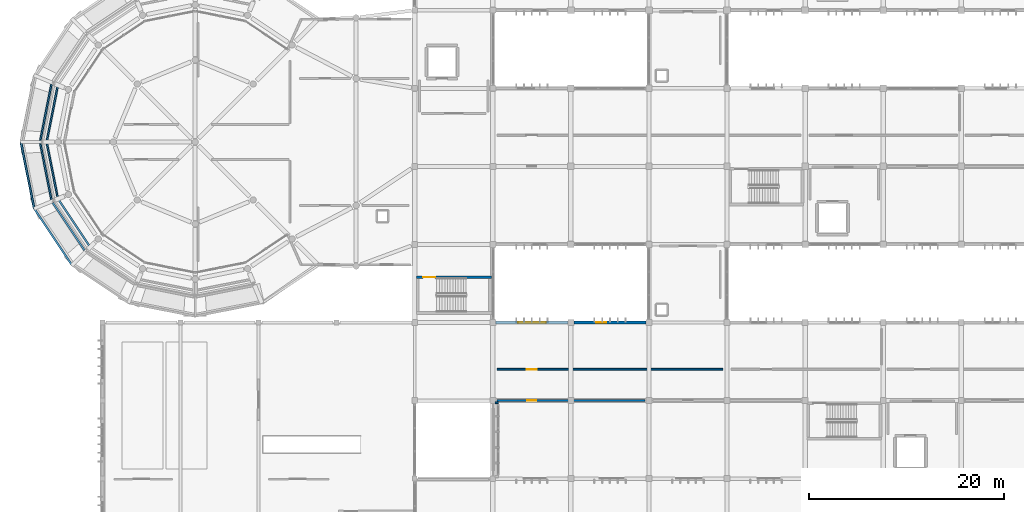
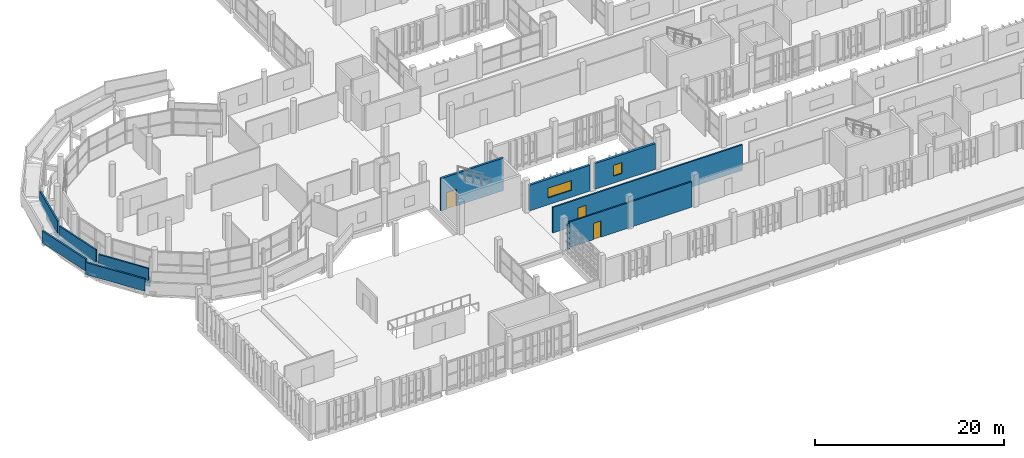
# One storey, part 109 of 137: 14 walls, 3 doors, 2 windows, 5 openings.
"""IFC4 building model written with IfcOpenShell, lengths in metres."""

from ifc_helpers import new_model, si_unit, direction, frame, frame_2d, origin, place, context, subcontext, project, spatial, rectangle, extrude, material, layer, layer_set, type_object, element, fill, save


model = new_model("IFC4")

# Units and contexts
model_context = context("Model", 3, precision=1e-05, world=origin(), true_north=direction((0.0, 1.0)))
body_context = subcontext(model_context, "Body", "Model", "MODEL_VIEW")
ifc_project = project(units=[si_unit("LENGTHUNIT", "METRE"), si_unit("AREAUNIT", "SQUARE_METRE"), si_unit("VOLUMEUNIT", "CUBIC_METRE"), si_unit("PLANEANGLEUNIT", "RADIAN"), si_unit("MASSUNIT", "GRAM", prefix="KILO")], contexts=[model_context])

# Site, building, storey
site_placement = place(None, origin())
site = spatial("IfcSite", under=ifc_project, at=site_placement, CompositionType="ELEMENT")
building_placement = place(site_placement, origin())
building = spatial("IfcBuilding", under=site, at=building_placement, Name="Jelvoka-Kovrelna Polytechnic", CompositionType="ELEMENT")
storey_placement = place(building_placement, frame((0.0, 0.0, 9.60009765625)))
storey = spatial("IfcBuildingStorey", under=building, at=storey_placement, Name="L03", CompositionType="ELEMENT", Elevation=9.60009765625)

# Wall, opening, door
ifc_material_1 = material(Name="Concrete C40/50", Category="concrete")
ifc_layer_1 = layer(ifc_material_1, 0.25)
ifc_layer_set_1 = layer_set([ifc_layer_1], Name="Concrete C40/50")
wall_type_1 = type_object("IfcWallType", Name="Wall_Core_250", PredefinedType="SOLIDWALL", material=ifc_layer_set_1)
wall_1_placement = place(storey_placement, frame((48.199951171875, 28.639892578125, 0.0), z_axis=(0.0, 0.0, 1.0), x_axis=(1.0, 0.0, 0.0)))
wall_1 = element("IfcWall", 1, at=wall_1_placement, inside=storey, type_object=wall_type_1, Name="L03 interior wall 0027", PredefinedType="SOLIDWALL", context=body_context, shape_type="SweptSolid", body=[
    extrude(rectangle(XDim=7.650146484375, YDim=0.25, at=frame_2d((3.8251953125, 0.0))), origin(), (0.0, 0.0, 1.0), 4.199951171875),
])
opening_1_placement = place(wall_1_placement, frame((0.64990234375, 0.0, 0.0)))
opening_1 = element("IfcOpeningElement", 2, at=opening_1_placement, cuts=wall_1, Name="Opening SD-L03-007", PredefinedType="OPENING", context=body_context, shape_type="SweptSolid", body=[
    extrude(rectangle(XDim=1.25, YDim=2.14990234375, at=frame_2d((0.625, 1.074951171875))), frame((0.0, 0.135009765625, 0.0), z_axis=(0.0, -1.0, 0.0), x_axis=(1.0, 0.0, 0.0)), (0.0, 0.0, 1.0), 0.27001953125),
])
ifc_material_2 = material(Name="Powder-coated steel fire door", Category="steel")
door_type_1 = type_object("IfcDoorType", Name="Door_Fire_FD02", OperationType="NOTDEFINED", PredefinedType="DOOR", material=ifc_material_2)
door_1_placement = place(opening_1_placement, origin())
door_1 = element("IfcDoor", 3, at=door_1_placement, inside=storey, type_object=door_type_1, Name="L03 interior door SD-L03-007", OperationType="SINGLE_SWING_LEFT", OverallHeight=2.14990234375, OverallWidth=1.25, PredefinedType="DOOR", context=body_context, shape_type="SweptSolid", body=[
    extrude(rectangle(XDim=1.25, YDim=2.14990234375, at=frame_2d((0.625, 1.074951171875))), frame((0.0, 0.02490234375, 0.0), z_axis=(0.0, -1.0, 0.0), x_axis=(1.0, 0.0, 0.0)), (0.0, 0.0, 1.0), 0.050048828125),
])
fill(opening_1, door_1)

ifc_material_3 = material(Name="Autoclaved aerated concrete blockwork", Category="masonry")
ifc_layer_2 = layer(ifc_material_3, 0.179931640625)
ifc_layer_set_2 = layer_set([ifc_layer_2], Name="Autoclaved aerated concrete blockwork")
wall_type_2 = type_object("IfcWallType", Name="Wall_Corridor_180", PredefinedType="PARTITIONING", material=ifc_layer_set_2)
wall_2_placement = place(storey_placement, frame((56.429931640625, 16.0, 0.0), z_axis=(0.0, 0.0, 1.0), x_axis=(1.0, 0.0, 0.0)))
wall_2 = element("IfcWall", 4, at=wall_2_placement, inside=storey, type_object=wall_type_2, Name="L03 interior wall 1035", PredefinedType="PARTITIONING", context=body_context, shape_type="SweptSolid", body=[
    extrude(rectangle(XDim=15.14013671875, YDim=0.179931640625, at=frame_2d((7.570068359375, 0.0))), origin(), (0.0, 0.0, 1.0), 3.27490234375),
])
opening_2_placement = place(wall_2_placement, frame((3.1201171875, 0.0, 0.0)))
opening_2 = element("IfcOpeningElement", 5, at=opening_2_placement, cuts=wall_2, Name="Opening D-L03-280", PredefinedType="OPENING", context=body_context, shape_type="SweptSolid", body=[
    extrude(rectangle(XDim=0.89990234375, YDim=2.10009765625, at=frame_2d((0.449951171875, 1.050048828125))), frame((0.0, 0.099853515625, 0.0), z_axis=(0.0, -1.0, 0.0), x_axis=(1.0, 0.0, 0.0)), (0.0, 0.0, 1.0), 0.199951171875),
])
ifc_material_4 = material(Name="Hardwood solid-core door", Category="wood")
door_type_2 = type_object("IfcDoorType", Name="Door_Int_D01", OperationType="NOTDEFINED", PredefinedType="DOOR", material=ifc_material_4)
door_2_placement = place(opening_2_placement, origin())
door_2 = element("IfcDoor", 6, at=door_2_placement, inside=storey, type_object=door_type_2, Name="L03 interior door D-L03-280", OperationType="SINGLE_SWING_LEFT", OverallHeight=2.10009765625, OverallWidth=0.89990234375, PredefinedType="DOOR", context=body_context, shape_type="SweptSolid", body=[
    extrude(rectangle(XDim=0.89990234375, YDim=2.10009765625, at=frame_2d((0.449951171875, 1.050048828125))), frame((0.0, 0.02490234375, 0.0), z_axis=(0.0, -1.0, 0.0), x_axis=(1.0, 0.0, 0.0)), (0.0, 0.0, 1.0), 0.050048828125),
])
fill(opening_2, door_2)

wall_3_placement = place(storey_placement, frame((56.429931640625, 19.199951171875, 0.0), z_axis=(0.0, 0.0, 1.0), x_axis=(1.0, 0.0, 0.0)))
wall_3 = element("IfcWall", 7, at=wall_3_placement, inside=storey, type_object=wall_type_2, Name="L03 interior wall 1042", PredefinedType="PARTITIONING", context=body_context, shape_type="SweptSolid", body=[
    extrude(rectangle(XDim=23.14013671875, YDim=0.179931640625, at=frame_2d((11.570068359375, 0.0))), origin(), (0.0, 0.0, 1.0), 3.2998046875),
])
opening_3_placement = place(wall_3_placement, frame((3.070068359375, 0.0, 0.0)))
opening_3 = element("IfcOpeningElement", 8, at=opening_3_placement, cuts=wall_3, Name="Opening D-L03-285", PredefinedType="OPENING", context=body_context, shape_type="SweptSolid", body=[
    extrude(rectangle(XDim=1.0, YDim=2.14990234375, at=frame_2d((0.5, 1.074951171875))), frame((0.0, 0.099853515625, 0.0), z_axis=(0.0, -1.0, 0.0), x_axis=(1.0, 0.0, 0.0)), (0.0, 0.0, 1.0), 0.199951171875),
])
ifc_material_5 = material(Name="Hardwood acoustic seminar door", Category="wood")
door_type_3 = type_object("IfcDoorType", Name="Door_Int_D08", OperationType="NOTDEFINED", PredefinedType="DOOR", material=ifc_material_5)
door_3_placement = place(opening_3_placement, origin())
door_3 = element("IfcDoor", 9, at=door_3_placement, inside=storey, type_object=door_type_3, Name="L03 interior door D-L03-285", OperationType="SINGLE_SWING_RIGHT", OverallHeight=2.14990234375, OverallWidth=1.0, PredefinedType="DOOR", context=body_context, shape_type="SweptSolid", body=[
    extrude(rectangle(XDim=1.0, YDim=2.14990234375, at=frame_2d((0.5, 1.074951171875))), frame((0.0, 0.02490234375, 0.0), z_axis=(0.0, -1.0, 0.0), x_axis=(1.0, 0.0, 0.0)), (0.0, 0.0, 1.0), 0.050048828125),
])
fill(opening_3, door_3)

# Wall, opening, window
ifc_material_6 = material(Name="Precast concrete C40/50", Category="concrete")
ifc_layer_3 = layer(ifc_material_6, 0.280029296875)
ifc_layer_set_3 = layer_set([ifc_layer_3], Name="Precast concrete C40/50")
wall_type_3 = type_object("IfcWallType", Name="Wall_Ext_White_280", PredefinedType="STANDARD", material=ifc_layer_set_3)
wall_4_placement = place(storey_placement, frame((56.297119140625, 24.0, 0.0), z_axis=(0.0, 0.0, 1.0), x_axis=(1.0, 0.0, 0.0)))
wall_4 = element("IfcWall", 10, at=wall_4_placement, inside=storey, type_object=wall_type_3, Name="L03 exterior wall 0283", PredefinedType="STANDARD", context=body_context, shape_type="SweptSolid", body=[
    extrude(rectangle(XDim=7.40576171875, YDim=0.280029296875, at=frame_2d((3.702880859375, 0.0))), origin(), (0.0, 0.0, 1.0), 3.324951171875),
])
opening_4_placement = place(wall_4_placement, frame((2.282958984375, 0.0, 0.89990234375)))
opening_4 = element("IfcOpeningElement", 11, at=opening_4_placement, cuts=wall_4, Name="Opening W-L03-045", PredefinedType="OPENING", context=body_context, shape_type="SweptSolid", body=[
    extrude(rectangle(XDim=2.85009765625, YDim=1.25, at=frame_2d((1.425048828125, 0.625))), frame((0.0, 0.150146484375, 0.0), z_axis=(0.0, -1.0, 0.0), x_axis=(1.0, 0.0, 0.0)), (0.0, 0.0, 1.0), 0.300048828125),
])
ifc_material_7 = material(Name="Thermally broken anodised aluminium and low-e glazing", Category="aluminium")
window_type_1 = type_object("IfcWindowType", Name="Win_Casement_W10", PartitioningType="DOUBLE_PANEL_VERTICAL", PredefinedType="WINDOW", material=ifc_material_7)
window_1_placement = place(opening_4_placement, origin())
window_1 = element("IfcWindow", 12, at=window_1_placement, inside=storey, type_object=window_type_1, Name="L03 aluminium casement window W-L03-045", OverallHeight=1.25, OverallWidth=2.85009765625, PartitioningType="DOUBLE_PANEL_VERTICAL", PredefinedType="WINDOW", context=body_context, shape_type="SweptSolid", body=[
    extrude(rectangle(XDim=2.85009765625, YDim=1.25, at=frame_2d((1.425048828125, 0.625))), frame((0.0, 0.030029296875, 0.0), z_axis=(0.0, -1.0, 0.0), x_axis=(1.0, 0.0, 0.0)), (0.0, 0.0, 1.0), 0.06005859375),
])
fill(opening_4, window_1)

wall_5_placement = place(storey_placement, frame((64.297119140625, 24.0, 0.0), z_axis=(0.0, 0.0, 1.0), x_axis=(1.0, 0.0, 0.0)))
wall_5 = element("IfcWall", 13, at=wall_5_placement, inside=storey, type_object=wall_type_3, Name="L03 exterior wall 0285", PredefinedType="STANDARD", context=body_context, shape_type="SweptSolid", body=[
    extrude(rectangle(XDim=7.40576171875, YDim=0.280029296875, at=frame_2d((3.702880859375, 0.0))), origin(), (0.0, 0.0, 1.0), 3.324951171875),
])
opening_5_placement = place(wall_5_placement, frame((2.282958984375, 0.0, 0.89990234375)))
opening_5 = element("IfcOpeningElement", 14, at=opening_5_placement, cuts=wall_5, Name="Opening W-L03-047", PredefinedType="OPENING", context=body_context, shape_type="SweptSolid", body=[
    extrude(rectangle(XDim=1.050048828125, YDim=1.39990234375, at=frame_2d((0.52490234375, 0.699951171875))), frame((0.0, 0.150146484375, 0.0), z_axis=(0.0, -1.0, 0.0), x_axis=(1.0, 0.0, 0.0)), (0.0, 0.0, 1.0), 0.300048828125),
])
ifc_material_8 = material(Name="Thermally broken anodised aluminium and low-e glazing", Category="aluminium")
window_type_2 = type_object("IfcWindowType", Name="Win_Casement_W11", PartitioningType="SINGLE_PANEL", PredefinedType="WINDOW", material=ifc_material_8)
window_2_placement = place(opening_5_placement, origin())
window_2 = element("IfcWindow", 15, at=window_2_placement, inside=storey, type_object=window_type_2, Name="L03 aluminium casement window W-L03-047", OverallHeight=1.39990234375, OverallWidth=1.050048828125, PartitioningType="SINGLE_PANEL", PredefinedType="WINDOW", context=body_context, shape_type="SweptSolid", body=[
    extrude(rectangle(XDim=1.050048828125, YDim=1.39990234375, at=frame_2d((0.52490234375, 0.699951171875))), frame((0.0, 0.030029296875, 0.0), z_axis=(0.0, -1.0, 0.0), x_axis=(1.0, 0.0, 0.0)), (0.0, 0.0, 1.0), 0.06005859375),
])
fill(opening_5, window_2)

# Walls
ifc_material_9 = material(Name="Precast concrete C40/50", Category="concrete")
ifc_layer_4 = layer(ifc_material_9, 0.179931640625)
ifc_layer_set_4 = layer_set([ifc_layer_4], Name="Precast concrete C40/50")
wall_type_4 = type_object("IfcWallType", Name="Wall_Parapet_180", PredefinedType="PARAPET", material=ifc_layer_set_4)
for number, where, z_axis, x_axis, name in (
    (16, (11.407470703125, 48.16748046875, 0.0), (0.0, 0.0, 1.0), (-0.19510490813, -0.980782378932, 0.0), "L03 exterior wall 0988"),
    (17, (10.311279296875, 42.343017578125, 0.0), (0.0, 0.0, 1.0), (0.19510490813, -0.980782378932, 0.0), "L03 exterior wall 0989"),
    (18, (11.527587890625, 36.54248046875, 0.0), (0.0, 0.0, 1.0), (0.555552261158, -0.831481620435, 0.0), "L03 exterior wall 0990"),
):
    element("IfcWall", number, at=place(storey_placement, frame(where, z_axis=z_axis, x_axis=x_axis)), inside=storey, type_object=wall_type_4, Name=name, PredefinedType="PARAPET", context=body_context, shape_type="SweptSolid", body=[
        extrude(rectangle(XDim=5.618408203125, YDim=0.179931640625, at=frame_2d((2.80908203125, 0.0))), origin(), (0.0, 0.0, 1.0), 1.14990234375),
    ])
wall_6_placement = place(storey_placement, frame((14.168212890625, 31.389892578125, 1.27001953125), z_axis=(0.0, 0.0, 1.0), x_axis=(-0.555580797046, 0.831462553548, 0.0)))
element("IfcWall", 19, at=wall_6_placement, inside=storey, type_object=wall_type_4, Name="L03 exterior wall 1086", PredefinedType="PARAPET", context=body_context, shape_type="SweptSolid", body=[
    extrude(rectangle(XDim=5.884033203125, YDim=0.179931640625, at=frame_2d((2.94189453125, 0.0))), origin(), (0.0, 0.0, 1.0), 1.559814453125),
])
for number, where, z_axis, x_axis, name in (
    (20, (10.779052734375, 36.572265625, 1.68994140625), (0.0, 0.0, 1.0), (-0.195102630459, 0.980782832021, 0.0), "L03 exterior wall 1088"),
    (21, (9.631103515625, 42.656982421875, 2.10986328125), (0.0, 0.0, 1.0), (0.195102630459, 0.980782832021, 0.0), "L03 exterior wall 1090"),
):
    element("IfcWall", number, at=place(storey_placement, frame(where, z_axis=z_axis, x_axis=x_axis)), inside=storey, type_object=wall_type_4, Name=name, PredefinedType="PARAPET", context=body_context, shape_type="SweptSolid", body=[
        extrude(rectangle(XDim=5.8837890625, YDim=0.179931640625, at=frame_2d((2.94189453125, 0.0))), origin(), (0.0, 0.0, 1.0), 1.56005859375),
    ])
ifc_material_10 = material(Name="Precast concrete C40/50", Category="concrete")
ifc_layer_5 = layer(ifc_material_10, 0.199951171875)
ifc_layer_set_5 = layer_set([ifc_layer_5], Name="Precast concrete C40/50")
wall_type_5 = type_object("IfcWallType", Name="Wall_Parapet_200", PredefinedType="PARAPET", material=ifc_layer_set_5)
wall_7_placement = place(storey_placement, frame((56.239990234375, 15.780029296875, 0.0), z_axis=(0.0, 0.0, 1.0), x_axis=(1.0, 0.0, 0.0)))
element("IfcWall", 22, at=wall_7_placement, inside=storey, type_object=wall_type_5, Name="L03 exterior wall 0307", PredefinedType="PARAPET", context=body_context, shape_type="SweptSolid", body=[
    extrude(rectangle(XDim=0.320068359375, YDim=0.199951171875, at=frame_2d((0.16015625, 0.0))), origin(), (0.0, 0.0, 1.0), 3.349853515625),
])
wall_8_placement = place(storey_placement, frame((12.878173828125, 29.878173828125, 1.27001953125), z_axis=(0.0, 0.0, 1.0), x_axis=(-0.555565451838, 0.831472806966, 0.0)))
element("IfcWall", 23, at=wall_8_placement, inside=storey, type_object=wall_type_5, Name="L03 exterior wall 1085", PredefinedType="PARAPET", context=body_context, shape_type="SweptSolid", body=[
    extrude(rectangle(XDim=6.96484375, YDim=0.199951171875, at=frame_2d((3.482421875, 0.0))), origin(), (0.0, 0.0, 1.0), 1.559814453125),
])
wall_9_placement = place(storey_placement, frame((9.0087890625, 35.669189453125, 1.68994140625), z_axis=(0.0, 0.0, 1.0), x_axis=(-0.19511159502, 0.9807810487, 0.0)))
element("IfcWall", 24, at=wall_9_placement, inside=storey, type_object=wall_type_5, Name="L03 exterior wall 1087", PredefinedType="PARAPET", context=body_context, shape_type="SweptSolid", body=[
    extrude(rectangle(XDim=6.964599609375, YDim=0.199951171875, at=frame_2d((3.482421875, 0.0))), origin(), (0.0, 0.0, 1.0), 1.56005859375),
])

save(model, "model.ifc")
